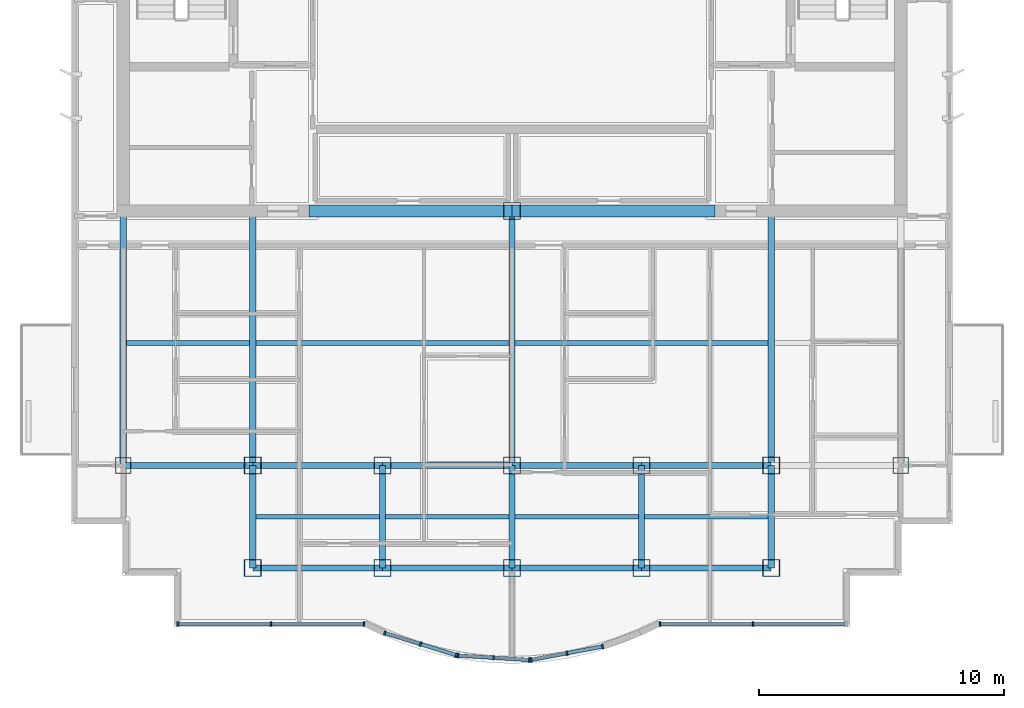
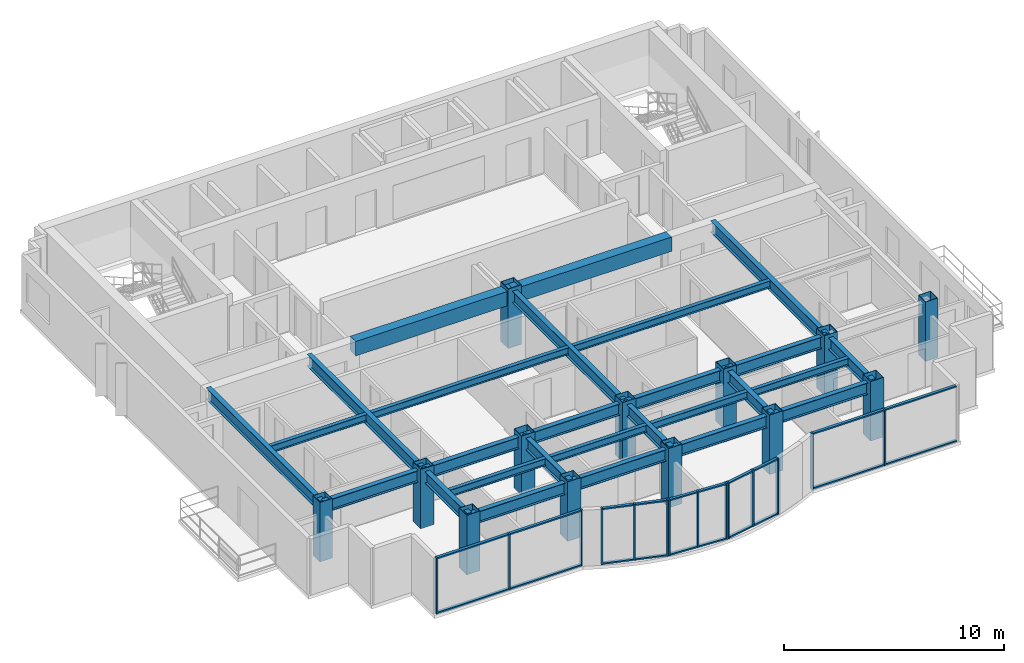
# One storey, part 1 of 9: 34 members, 27 beams, 13 columns, 5 elements without a shape of their own.
"""IFC4 building model written with IfcOpenShell, lengths in metres."""

from ifc_helpers import new_model, si_unit, direction, frame, origin, origin_2d, place, context, subcontext, project, spatial, rectangle, hollow_rectangle, i_section, extrude, source, transform, mapped, material, layer, layer_set, material_profile, profile_set, type_object, element, aggregate, save


model = new_model("IFC4")

# Units and contexts
model_context = context("Model", 3, precision=1e-05, world=origin(), true_north=direction((0.0, 1.0)))
body_context = subcontext(model_context, "Body", "Model", "MODEL_VIEW")
ifc_project = project(units=[si_unit("LENGTHUNIT", "METRE"), si_unit("AREAUNIT", "SQUARE_METRE"), si_unit("VOLUMEUNIT", "CUBIC_METRE"), si_unit("PLANEANGLEUNIT", "RADIAN"), si_unit("MASSUNIT", "GRAM", prefix="KILO")], contexts=[model_context])

# Site, building, storey
site_placement = place(None, origin())
site = spatial("IfcSite", under=ifc_project, at=site_placement, CompositionType="ELEMENT")
building_placement = place(site_placement, origin())
building = spatial("IfcBuilding", under=site, at=building_placement, Name="Qianlan Lanfeng Residences", CompositionType="ELEMENT")
storey_placement = place(building_placement, frame((0.0, 0.0, 249.5)))
storey = spatial("IfcBuildingStorey", under=building, at=storey_placement, Name="L69", CompositionType="ELEMENT", Elevation=249.5)

# Columns
ifc_material_1 = material(Name="Steel SN490B", Category="steel")
ifc_material_profile_1 = material_profile(ifc_material_1, hollow_rectangle(XDim=0.699951171875, YDim=0.699951171875, WallThickness=0.02490234375, at=origin_2d()), Name="BOX 700x700x25")
ifc_profile_set_1 = profile_set([ifc_material_profile_1], Name="Steel SN490B")
column_type_1 = type_object("IfcColumnType", Name="C-B750", PredefinedType="COLUMN", material=ifc_profile_set_1)
for number, where, z_axis, x_axis, name in (
    (1, (26.5, 25.199951171875, 0.0), (0.0, 0.0, 1.0), (1.0, 0.0, 0.0), "L69 Structural Column CP_26.5_25.2"),
    (2, (15.89990234375, 14.800048828125, 0.0), (0.0, 0.0, 1.0), (1.0, 0.0, 0.0), "L69 Structural Column M_15.90_14.80"),
    (3, (15.89990234375, 10.60009765625, 0.0), (0.0, 0.0, 1.0), (1.0, 0.0, 0.0), "L69 Structural Column G_15.90_10.60"),
    (4, (21.199951171875, 14.800048828125, 0.0), (0.0, 0.0, 1.0), (1.0, 0.0, 0.0), "L69 Structural Column M_21.20_14.80"),
    (5, (21.199951171875, 10.60009765625, 0.0), (0.0, 0.0, 1.0), (1.0, 0.0, 0.0), "L69 Structural Column G_21.20_10.60"),
    (6, (26.5, 14.800048828125, 0.0), (0.0, 0.0, 1.0), (1.0, 0.0, 0.0), "L69 Structural Column M_26.50_14.80"),
    (7, (26.5, 10.60009765625, 0.0), (0.0, 0.0, 1.0), (1.0, 0.0, 0.0), "L69 Structural Column G_26.50_10.60"),
    (8, (31.800048828125, 14.800048828125, 0.0), (0.0, 0.0, 1.0), (1.0, 0.0, 0.0), "L69 Structural Column M_31.80_14.80"),
    (9, (31.800048828125, 10.60009765625, 0.0), (0.0, 0.0, 1.0), (1.0, 0.0, 0.0), "L69 Structural Column G_31.80_10.60"),
    (10, (37.10009765625, 14.800048828125, 0.0), (0.0, 0.0, 1.0), (1.0, 0.0, 0.0), "L69 Structural Column M_37.10_14.80"),
    (11, (37.10009765625, 10.60009765625, 0.0), (0.0, 0.0, 1.0), (1.0, 0.0, 0.0), "L69 Structural Column G_37.10_10.60"),
):
    element("IfcColumn", number, at=place(storey_placement, frame(where, z_axis=z_axis, x_axis=x_axis)), inside=storey, type_object=column_type_1, Name=name, PredefinedType="COLUMN", context=body_context, shape_type="SweptSolid", body=[
        extrude(hollow_rectangle(XDim=0.699951171875, YDim=0.699951171875, WallThickness=0.02490234375, at=origin_2d()), origin(), (0.0, 0.0, 1.0), 3.300048828125),
    ])
ifc_material_profile_2 = material_profile(ifc_material_1, hollow_rectangle(XDim=0.64990234375, YDim=0.64990234375, WallThickness=0.02197265625, at=origin_2d()), Name="BOX 650x650x22")
ifc_profile_set_2 = profile_set([ifc_material_profile_2], Name="Steel SN490B")
column_type_2 = type_object("IfcColumnType", Name="CE-B700", PredefinedType="COLUMN", material=ifc_profile_set_2)
for number, where, z_axis, x_axis, name in (
    (12, (10.60009765625, 14.800048828125, 0.0), (0.0, 0.0, 1.0), (1.0, 0.0, 0.0), "L69 Structural Column M_10.60_14.80"),
    (13, (42.39990234375, 14.800048828125, 0.0), (0.0, 0.0, 1.0), (1.0, 0.0, 0.0), "L69 Structural Column M_42.40_14.80"),
):
    element("IfcColumn", number, at=place(storey_placement, frame(where, z_axis=z_axis, x_axis=x_axis)), inside=storey, type_object=column_type_2, Name=name, PredefinedType="COLUMN", context=body_context, shape_type="SweptSolid", body=[
        extrude(hollow_rectangle(XDim=0.64990234375, YDim=0.64990234375, WallThickness=0.02197265625, at=origin_2d()), origin(), (0.0, 0.0, 1.0), 3.300048828125),
    ])

# Beams
ifc_material_profile_3 = material_profile(ifc_material_1, i_section(OverallWidth=0.25, OverallDepth=0.64990234375, WebThickness=0.012939453125, FlangeThickness=0.02197265625, at=origin_2d()), Name="H 650x250x13x22")
ifc_profile_set_3 = profile_set([ifc_material_profile_3], Name="Steel SN490B")
beam_type_1 = type_object("IfcBeamType", Name="G-650", PredefinedType="BEAM", material=ifc_profile_set_3)
for number, where, z_axis, x_axis, name in (
    (14, (15.89990234375, 10.60009765625, 2.784912109375), (1.0, 0.0, 0.0), (0.0, 1.0, 0.0), "Structural beam G-650"),
    (15, (21.199951171875, 10.60009765625, 2.784912109375), (1.0, 0.0, 0.0), (0.0, 1.0, 0.0), "Structural beam G-650"),
    (16, (26.5, 10.60009765625, 2.784912109375), (1.0, 0.0, 0.0), (0.0, 1.0, 0.0), "Structural beam G-650"),
    (17, (31.800048828125, 10.60009765625, 2.784912109375), (1.0, 0.0, 0.0), (0.0, 1.0, 0.0), "Structural beam G-650"),
):
    element("IfcBeam", number, at=place(storey_placement, frame(where, z_axis=z_axis, x_axis=x_axis)), inside=storey, type_object=beam_type_1, Name=name, PredefinedType="BEAM", context=body_context, shape_type="SweptSolid", body=[
        extrude(i_section(OverallWidth=0.25, OverallDepth=0.64990234375, WebThickness=0.012939453125, FlangeThickness=0.02197265625, at=origin_2d()), origin(), (0.0, 0.0, 1.0), 5.300048828125),
    ])
beam_1_placement = place(storey_placement, frame((10.60009765625, 14.800048828125, 2.784912109375), z_axis=(1.0, 0.0, 0.0), x_axis=(0.0, 1.0, 0.0)))
element("IfcBeam", 18, at=beam_1_placement, inside=storey, type_object=beam_type_1, Name="Structural beam G-650", PredefinedType="BEAM", context=body_context, shape_type="SweptSolid", body=[
    extrude(i_section(OverallWidth=0.25, OverallDepth=0.64990234375, WebThickness=0.012939453125, FlangeThickness=0.02197265625, at=origin_2d()), origin(), (0.0, 0.0, 1.0), 5.2998046875),
])
for number, where, z_axis, x_axis, name in (
    (19, (15.89990234375, 14.800048828125, 2.784912109375), (1.0, 0.0, 0.0), (0.0, 1.0, 0.0), "Structural beam G-650"),
    (20, (21.199951171875, 14.800048828125, 2.784912109375), (1.0, 0.0, 0.0), (0.0, 1.0, 0.0), "Structural beam G-650"),
    (21, (26.5, 14.800048828125, 2.784912109375), (1.0, 0.0, 0.0), (0.0, 1.0, 0.0), "Structural beam G-650"),
    (22, (31.800048828125, 14.800048828125, 2.784912109375), (1.0, 0.0, 0.0), (0.0, 1.0, 0.0), "Structural beam G-650"),
):
    element("IfcBeam", number, at=place(storey_placement, frame(where, z_axis=z_axis, x_axis=x_axis)), inside=storey, type_object=beam_type_1, Name=name, PredefinedType="BEAM", context=body_context, shape_type="SweptSolid", body=[
        extrude(i_section(OverallWidth=0.25, OverallDepth=0.64990234375, WebThickness=0.012939453125, FlangeThickness=0.02197265625, at=origin_2d()), origin(), (0.0, 0.0, 1.0), 5.300048828125),
    ])
beam_2_placement = place(storey_placement, frame((10.60009765625, 14.800048828125, 2.784912109375), z_axis=(0.0, 1.0, 0.0), x_axis=(-1.0, 0.0, 0.0)))
element("IfcBeam", 23, at=beam_2_placement, inside=storey, type_object=beam_type_1, Name="Structural beam G-650", PredefinedType="BEAM", context=body_context, shape_type="SweptSolid", body=[
    extrude(i_section(OverallWidth=0.25, OverallDepth=0.64990234375, WebThickness=0.012939453125, FlangeThickness=0.02197265625, at=origin_2d()), origin(), (0.0, 0.0, 1.0), 10.39990234375),
])
beam_3_placement = place(storey_placement, frame((15.89990234375, 10.60009765625, 2.784912109375), z_axis=(0.0, 1.0, 0.0), x_axis=(-1.0, 0.0, 0.0)))
element("IfcBeam", 24, at=beam_3_placement, inside=storey, type_object=beam_type_1, Name="Structural beam G-650", PredefinedType="BEAM", context=body_context, shape_type="SweptSolid", body=[
    extrude(i_section(OverallWidth=0.25, OverallDepth=0.64990234375, WebThickness=0.012939453125, FlangeThickness=0.02197265625, at=origin_2d()), origin(), (0.0, 0.0, 1.0), 4.199951171875),
])
beam_4_placement = place(storey_placement, frame((15.89990234375, 14.800048828125, 2.784912109375), z_axis=(0.0, 1.0, 0.0), x_axis=(-1.0, 0.0, 0.0)))
element("IfcBeam", 25, at=beam_4_placement, inside=storey, type_object=beam_type_1, Name="Structural beam G-650", PredefinedType="BEAM", context=body_context, shape_type="SweptSolid", body=[
    extrude(i_section(OverallWidth=0.25, OverallDepth=0.64990234375, WebThickness=0.012939453125, FlangeThickness=0.02197265625, at=origin_2d()), origin(), (0.0, 0.0, 1.0), 10.39990234375),
])
for number, where, z_axis, x_axis, name in (
    (26, (21.199951171875, 10.60009765625, 2.784912109375), (0.0, 1.0, 0.0), (-1.0, 0.0, 0.0), "Structural beam G-650"),
    (27, (26.5, 10.60009765625, 2.784912109375), (0.0, 1.0, 0.0), (-1.0, 0.0, 0.0), "Structural beam G-650"),
):
    element("IfcBeam", number, at=place(storey_placement, frame(where, z_axis=z_axis, x_axis=x_axis)), inside=storey, type_object=beam_type_1, Name=name, PredefinedType="BEAM", context=body_context, shape_type="SweptSolid", body=[
        extrude(i_section(OverallWidth=0.25, OverallDepth=0.64990234375, WebThickness=0.012939453125, FlangeThickness=0.02197265625, at=origin_2d()), origin(), (0.0, 0.0, 1.0), 4.199951171875),
    ])
beam_5_placement = place(storey_placement, frame((26.5, 14.800048828125, 2.784912109375), z_axis=(0.0, 1.0, 0.0), x_axis=(-1.0, 0.0, 0.0)))
element("IfcBeam", 28, at=beam_5_placement, inside=storey, type_object=beam_type_1, Name="Structural beam G-650", PredefinedType="BEAM", context=body_context, shape_type="SweptSolid", body=[
    extrude(i_section(OverallWidth=0.25, OverallDepth=0.64990234375, WebThickness=0.012939453125, FlangeThickness=0.02197265625, at=origin_2d()), origin(), (0.0, 0.0, 1.0), 10.39990234375),
])
for number, where, z_axis, x_axis, name in (
    (29, (31.800048828125, 10.60009765625, 2.784912109375), (0.0, 1.0, 0.0), (-1.0, 0.0, 0.0), "Structural beam G-650"),
    (30, (37.10009765625, 10.60009765625, 2.784912109375), (0.0, 1.0, 0.0), (-1.0, 0.0, 0.0), "Structural beam G-650"),
):
    element("IfcBeam", number, at=place(storey_placement, frame(where, z_axis=z_axis, x_axis=x_axis)), inside=storey, type_object=beam_type_1, Name=name, PredefinedType="BEAM", context=body_context, shape_type="SweptSolid", body=[
        extrude(i_section(OverallWidth=0.25, OverallDepth=0.64990234375, WebThickness=0.012939453125, FlangeThickness=0.02197265625, at=origin_2d()), origin(), (0.0, 0.0, 1.0), 4.199951171875),
    ])
beam_6_placement = place(storey_placement, frame((37.10009765625, 14.800048828125, 2.784912109375), z_axis=(0.0, 1.0, 0.0), x_axis=(-1.0, 0.0, 0.0)))
element("IfcBeam", 31, at=beam_6_placement, inside=storey, type_object=beam_type_1, Name="Structural beam G-650", PredefinedType="BEAM", context=body_context, shape_type="SweptSolid", body=[
    extrude(i_section(OverallWidth=0.25, OverallDepth=0.64990234375, WebThickness=0.012939453125, FlangeThickness=0.02197265625, at=origin_2d()), origin(), (0.0, 0.0, 1.0), 10.39990234375),
])
ifc_material_profile_4 = material_profile(ifc_material_1, i_section(OverallWidth=0.199951171875, OverallDepth=0.39990234375, WebThickness=0.008056640625, FlangeThickness=0.012939453125, at=origin_2d()), Name="H 400x200x8x13")
ifc_profile_set_4 = profile_set([ifc_material_profile_4], Name="Steel SN490B")
beam_type_2 = type_object("IfcBeamType", Name="J-400", PredefinedType="JOIST", material=ifc_profile_set_4)
for number, where, z_axis, x_axis, name in (
    (32, (16.02490234375, 12.699951171875, 2.909912109375), (1.0, 0.0, 0.0), (0.0, 1.0, 0.0), "Structural beam J-400"),
    (33, (21.324951171875, 12.699951171875, 2.909912109375), (1.0, 0.0, 0.0), (0.0, 1.0, 0.0), "Structural beam J-400"),
    (34, (26.625, 12.699951171875, 2.909912109375), (1.0, 0.0, 0.0), (0.0, 1.0, 0.0), "Structural beam J-400"),
    (35, (31.925048828125, 12.699951171875, 2.909912109375), (1.0, 0.0, 0.0), (0.0, 1.0, 0.0), "Structural beam J-400"),
):
    element("IfcBeam", number, at=place(storey_placement, frame(where, z_axis=z_axis, x_axis=x_axis)), inside=storey, type_object=beam_type_2, Name=name, PredefinedType="JOIST", context=body_context, shape_type="SweptSolid", body=[
        extrude(i_section(OverallWidth=0.199951171875, OverallDepth=0.39990234375, WebThickness=0.008056640625, FlangeThickness=0.012939453125, at=origin_2d()), origin(), (0.0, 0.0, 1.0), 5.050048828125),
    ])
beam_7_placement = place(storey_placement, frame((10.72509765625, 19.800048828125, 2.909912109375), z_axis=(1.0, 0.0, 0.0), x_axis=(0.0, 1.0, 0.0)))
element("IfcBeam", 36, at=beam_7_placement, inside=storey, type_object=beam_type_2, Name="Structural beam J-400", PredefinedType="JOIST", context=body_context, shape_type="SweptSolid", body=[
    extrude(i_section(OverallWidth=0.199951171875, OverallDepth=0.39990234375, WebThickness=0.008056640625, FlangeThickness=0.012939453125, at=origin_2d()), origin(), (0.0, 0.0, 1.0), 5.0498046875),
])
for number, where, z_axis, x_axis, name in (
    (37, (16.02490234375, 19.800048828125, 2.909912109375), (1.0, 0.0, 0.0), (0.0, 1.0, 0.0), "Structural beam J-400"),
    (38, (26.625, 19.800048828125, 2.909912109375), (1.0, 0.0, 0.0), (0.0, 1.0, 0.0), "Structural beam J-400"),
):
    element("IfcBeam", number, at=place(storey_placement, frame(where, z_axis=z_axis, x_axis=x_axis)), inside=storey, type_object=beam_type_2, Name=name, PredefinedType="JOIST", context=body_context, shape_type="SweptSolid", body=[
        extrude(i_section(OverallWidth=0.199951171875, OverallDepth=0.39990234375, WebThickness=0.008056640625, FlangeThickness=0.012939453125, at=origin_2d()), origin(), (0.0, 0.0, 1.0), 10.35009765625),
    ])
ifc_material_2 = material(Name="Concrete C49", Category="concrete")
ifc_material_profile_5 = material_profile(ifc_material_2, rectangle(XDim=0.5, YDim=0.800048828125, at=origin_2d()), Name="RC 500x800")
ifc_profile_set_5 = profile_set([ifc_material_profile_5], Name="Concrete C49")
beam_type_3 = type_object("IfcBeamType", Name="LB-RC750", PredefinedType="BEAM", material=ifc_profile_set_5)
for number, where, z_axis, x_axis, name in (
    (39, (18.199951171875, 25.199951171875, 2.7099609375), (1.0, 0.0, 0.0), (0.0, 1.0, 0.0), "L69 Core Coupling Beam W"),
    (40, (26.5, 25.199951171875, 2.7099609375), (1.0, 0.0, 0.0), (0.0, 1.0, 0.0), "L69 Core Coupling Beam E"),
):
    element("IfcBeam", number, at=place(storey_placement, frame(where, z_axis=z_axis, x_axis=x_axis)), inside=storey, type_object=beam_type_3, Name=name, PredefinedType="BEAM", context=body_context, shape_type="SweptSolid", body=[
        extrude(rectangle(XDim=0.5, YDim=0.800048828125, at=origin_2d()), origin(), (0.0, 0.0, 1.0), 8.300048828125),
    ])

# Curtain wall, members
ifc_material_3 = material(Name="Anodised Bronze Aluminium 6063-T6", Category="aluminium")
ifc_layer = layer(ifc_material_3, 0.219970703125)
ifc_layer_set = layer_set([ifc_layer], Name="Anodised Bronze Aluminium 6063-T6")
curtain_wall_type = type_object("IfcCurtainWallType", Name="CW-06", PredefinedType="NOTDEFINED", material=ifc_layer_set)
curtain_wall_1_placement = place(storey_placement, origin())
curtain_wall_1 = element("IfcCurtainWall", 41, at=curtain_wall_1_placement, inside=storey, type_object=curtain_wall_type, Name="L69 Unitised Curtain Wall CWR-L69-01 (CW-06)", PredefinedType="NOTDEFINED")
ifc_material_profile_6 = material_profile(ifc_material_3, rectangle(XDim=0.074951171875, YDim=0.179931640625, at=origin_2d()), Name="ALU MULLION 75x180")
ifc_profile_set_6 = profile_set([ifc_material_profile_6], Name="Anodised Bronze Aluminium 6063-T6")
member_type_1 = type_object("IfcMemberType", Name="CWM-180", PredefinedType="MULLION", material=ifc_profile_set_6)
shared_shape_1 = source(origin(), body_context, "Body", "SweptSolid", [
    extrude(rectangle(XDim=0.074951171875, YDim=0.179931640625, at=origin_2d()), origin(), (0.0, 0.0, 1.0), 3.110107421875),
])
member_1_placement = place(storey_placement, frame((12.83740234375, 8.320068359375, 0.0), z_axis=(0.0, 0.0, 1.0), x_axis=(1.0, 0.0, 0.0)))
member_1 = element("IfcMember", 42, at=member_1_placement, type_object=member_type_1, Name="CWR-L69-01 Mullion 1", PredefinedType="MULLION", context=body_context, shape_type="MappedRepresentation", body=[
    mapped(shared_shape_1, transform((0.0, 0.0, 0.0), scale=1.0)),
])
member_2_placement = place(storey_placement, frame((16.6435546875, 8.320068359375, 0.0), z_axis=(0.0, 0.0, 1.0), x_axis=(1.0, 0.0, 0.0)))
member_2 = element("IfcMember", 43, at=member_2_placement, type_object=member_type_1, Name="CWR-L69-01 Mullion 2", PredefinedType="MULLION", context=body_context, shape_type="MappedRepresentation", body=[
    mapped(shared_shape_1, transform((0.0, 0.0, 0.0), scale=1.0)),
])
member_3_placement = place(storey_placement, frame((20.449462890625, 8.320068359375, 0.0), z_axis=(0.0, 0.0, 1.0), x_axis=(1.0, 0.0, 0.0)))
member_3 = element("IfcMember", 44, at=member_3_placement, type_object=member_type_1, Name="CWR-L69-01 Mullion 3", PredefinedType="MULLION", context=body_context, shape_type="MappedRepresentation", body=[
    mapped(shared_shape_1, transform((0.0, 0.0, 0.0), scale=1.0)),
])

curtain_wall_2_placement = place(storey_placement, origin())
curtain_wall_2 = element("IfcCurtainWall", 45, at=curtain_wall_2_placement, inside=storey, type_object=curtain_wall_type, Name="L69 Unitised Curtain Wall CWR-L69-02 (CW-06)", PredefinedType="NOTDEFINED")
member_4_placement = place(storey_placement, frame((21.298828125, 7.947021484375, 0.0), z_axis=(0.0, 0.0, 1.0), x_axis=(0.955079962155, -0.296348217287, 0.0)))
member_4 = element("IfcMember", 46, at=member_4_placement, type_object=member_type_1, Name="CWR-L69-02 Mullion 1", PredefinedType="MULLION", context=body_context, shape_type="MappedRepresentation", body=[
    mapped(shared_shape_1, transform((0.0, 0.0, 0.0), scale=1.0)),
])
member_5_placement = place(storey_placement, frame((22.760009765625, 7.493408203125, 0.0), z_axis=(0.0, 0.0, 1.0), x_axis=(0.955079962155, -0.296348217287, 0.0)))
member_5 = element("IfcMember", 47, at=member_5_placement, type_object=member_type_1, Name="CWR-L69-02 Mullion 2", PredefinedType="MULLION", context=body_context, shape_type="MappedRepresentation", body=[
    mapped(shared_shape_1, transform((0.0, 0.0, 0.0), scale=1.0)),
])
member_6_placement = place(storey_placement, frame((24.22119140625, 7.0400390625, 0.0), z_axis=(0.0, 0.0, 1.0), x_axis=(0.955079962155, -0.296348217287, 0.0)))
member_6 = element("IfcMember", 48, at=member_6_placement, type_object=member_type_1, Name="CWR-L69-02 Mullion 3", PredefinedType="MULLION", context=body_context, shape_type="MappedRepresentation", body=[
    mapped(shared_shape_1, transform((0.0, 0.0, 0.0), scale=1.0)),
])

curtain_wall_3_placement = place(storey_placement, origin())
curtain_wall_3 = element("IfcCurtainWall", 49, at=curtain_wall_3_placement, inside=storey, type_object=curtain_wall_type, Name="L69 Unitised Curtain Wall CWR-L69-03 (CW-06)", PredefinedType="NOTDEFINED")
member_7_placement = place(storey_placement, frame((24.29443359375, 7.026611328125, 0.0), z_axis=(0.0, 0.0, 1.0), x_axis=(0.998072054859, -0.062065878781, 0.0)))
member_7 = element("IfcMember", 50, at=member_7_placement, type_object=member_type_1, Name="CWR-L69-03 Mullion 1", PredefinedType="MULLION", context=body_context, shape_type="MappedRepresentation", body=[
    mapped(shared_shape_1, transform((0.0, 0.0, 0.0), scale=1.0)),
])
member_8_placement = place(storey_placement, frame((25.75244140625, 6.93603515625, 0.0), z_axis=(0.0, 0.0, 1.0), x_axis=(0.998072054859, -0.062065878781, 0.0)))
member_8 = element("IfcMember", 51, at=member_8_placement, type_object=member_type_1, Name="CWR-L69-03 Mullion 2", PredefinedType="MULLION", context=body_context, shape_type="MappedRepresentation", body=[
    mapped(shared_shape_1, transform((0.0, 0.0, 0.0), scale=1.0)),
])
member_9_placement = place(storey_placement, frame((27.210693359375, 6.84521484375, 0.0), z_axis=(0.0, 0.0, 1.0), x_axis=(0.998072054859, -0.062065878781, 0.0)))
member_9 = element("IfcMember", 52, at=member_9_placement, type_object=member_type_1, Name="CWR-L69-03 Mullion 3", PredefinedType="MULLION", context=body_context, shape_type="MappedRepresentation", body=[
    mapped(shared_shape_1, transform((0.0, 0.0, 0.0), scale=1.0)),
])

curtain_wall_4_placement = place(storey_placement, origin())
curtain_wall_4 = element("IfcCurtainWall", 53, at=curtain_wall_4_placement, inside=storey, type_object=curtain_wall_type, Name="L69 Unitised Curtain Wall CWR-L69-04 (CW-06)", PredefinedType="NOTDEFINED")
member_10_placement = place(storey_placement, frame((27.284912109375, 6.849853515625, 0.0), z_axis=(0.0, 0.0, 1.0), x_axis=(0.983039214023, 0.183395484386, 0.0)))
member_10 = element("IfcMember", 54, at=member_10_placement, type_object=member_type_1, Name="CWR-L69-04 Mullion 1", PredefinedType="MULLION", context=body_context, shape_type="MappedRepresentation", body=[
    mapped(shared_shape_1, transform((0.0, 0.0, 0.0), scale=1.0)),
])
member_11_placement = place(storey_placement, frame((28.743408203125, 7.1220703125, 0.0), z_axis=(0.0, 0.0, 1.0), x_axis=(0.983039214023, 0.183395484386, 0.0)))
member_11 = element("IfcMember", 55, at=member_11_placement, type_object=member_type_1, Name="CWR-L69-04 Mullion 2", PredefinedType="MULLION", context=body_context, shape_type="MappedRepresentation", body=[
    mapped(shared_shape_1, transform((0.0, 0.0, 0.0), scale=1.0)),
])
member_12_placement = place(storey_placement, frame((30.2021484375, 7.39404296875, 0.0), z_axis=(0.0, 0.0, 1.0), x_axis=(0.983039214023, 0.183395484386, 0.0)))
member_12 = element("IfcMember", 56, at=member_12_placement, type_object=member_type_1, Name="CWR-L69-04 Mullion 3", PredefinedType="MULLION", context=body_context, shape_type="MappedRepresentation", body=[
    mapped(shared_shape_1, transform((0.0, 0.0, 0.0), scale=1.0)),
])

curtain_wall_5_placement = place(storey_placement, origin())
curtain_wall_5 = element("IfcCurtainWall", 57, at=curtain_wall_5_placement, inside=storey, type_object=curtain_wall_type, Name="L69 Unitised Curtain Wall CWR-L69-05 (CW-06)", PredefinedType="NOTDEFINED")
member_13_placement = place(storey_placement, frame((32.550537109375, 8.320068359375, 0.0), z_axis=(0.0, 0.0, 1.0), x_axis=(1.0, 0.0, 0.0)))
member_13 = element("IfcMember", 58, at=member_13_placement, type_object=member_type_1, Name="CWR-L69-05 Mullion 1", PredefinedType="MULLION", context=body_context, shape_type="MappedRepresentation", body=[
    mapped(shared_shape_1, transform((0.0, 0.0, 0.0), scale=1.0)),
])
member_14_placement = place(storey_placement, frame((36.3564453125, 8.320068359375, 0.0), z_axis=(0.0, 0.0, 1.0), x_axis=(1.0, 0.0, 0.0)))
member_14 = element("IfcMember", 59, at=member_14_placement, type_object=member_type_1, Name="CWR-L69-05 Mullion 2", PredefinedType="MULLION", context=body_context, shape_type="MappedRepresentation", body=[
    mapped(shared_shape_1, transform((0.0, 0.0, 0.0), scale=1.0)),
])

# Member
ifc_material_profile_7 = material_profile(ifc_material_3, rectangle(XDim=0.074951171875, YDim=0.14990234375, at=origin_2d()), Name="ALU TRANSOM 75x150")
ifc_profile_set_7 = profile_set([ifc_material_profile_7], Name="Anodised Bronze Aluminium 6063-T6")
member_type_2 = type_object("IfcMemberType", Name="CWT-150", PredefinedType="USERDEFINED", material=ifc_profile_set_7)
shared_shape_2 = source(origin(), body_context, "Body", "SweptSolid", [
    extrude(rectangle(XDim=0.074951171875, YDim=0.14990234375, at=origin_2d()), origin(), (0.0, 0.0, 1.0), 3.73095703125),
])
member_15_placement = place(storey_placement, frame((12.875, 8.320068359375, 0.03759765625), z_axis=(1.0, 0.0, 0.0), x_axis=(0.0, 0.0, 1.0)))
member_15 = element("IfcMember", 60, at=member_15_placement, type_object=member_type_2, Name="CWR-L69-01 Transom 1-BOT", ObjectType="TRANSOM", PredefinedType="USERDEFINED", context=body_context, shape_type="MappedRepresentation", body=[
    mapped(shared_shape_2, transform((0.0, 0.0, 0.0), scale=1.0)),
])

member_16_placement = place(storey_placement, frame((12.875, 8.320068359375, 3.072509765625), z_axis=(1.0, 0.0, 0.0), x_axis=(0.0, 0.0, 1.0)))
member_16 = element("IfcMember", 61, at=member_16_placement, type_object=member_type_2, Name="CWR-L69-01 Transom 1-TOP", ObjectType="TRANSOM", PredefinedType="USERDEFINED", context=body_context, shape_type="MappedRepresentation", body=[
    mapped(shared_shape_2, transform((0.0, 0.0, 0.0), scale=1.0)),
])

member_17_placement = place(storey_placement, frame((36.39404296875, 8.320068359375, 0.03759765625), z_axis=(1.0, 0.0, 0.0), x_axis=(0.0, 0.0, 1.0)))
member_17 = element("IfcMember", 62, at=member_17_placement, type_object=member_type_2, Name="CWR-L69-05 Transom 2-BOT", ObjectType="TRANSOM", PredefinedType="USERDEFINED", context=body_context, shape_type="MappedRepresentation", body=[
    mapped(shared_shape_2, transform((0.0, 0.0, 0.0), scale=1.0)),
])

member_18_placement = place(storey_placement, frame((36.39404296875, 8.320068359375, 3.072509765625), z_axis=(1.0, 0.0, 0.0), x_axis=(0.0, 0.0, 1.0)))
member_18 = element("IfcMember", 63, at=member_18_placement, type_object=member_type_2, Name="CWR-L69-05 Transom 2-TOP", ObjectType="TRANSOM", PredefinedType="USERDEFINED", context=body_context, shape_type="MappedRepresentation", body=[
    mapped(shared_shape_2, transform((0.0, 0.0, 0.0), scale=1.0)),
])

shared_shape_3 = source(origin(), body_context, "Body", "SweptSolid", [
    extrude(rectangle(XDim=0.074951171875, YDim=0.14990234375, at=origin_2d()), origin(), (0.0, 0.0, 1.0), 3.731201171875),
])
member_19_placement = place(storey_placement, frame((16.680908203125, 8.320068359375, 0.03759765625), z_axis=(1.0, 0.0, 0.0), x_axis=(0.0, 0.0, 1.0)))
member_19 = element("IfcMember", 64, at=member_19_placement, type_object=member_type_2, Name="CWR-L69-01 Transom 2-BOT", ObjectType="TRANSOM", PredefinedType="USERDEFINED", context=body_context, shape_type="MappedRepresentation", body=[
    mapped(shared_shape_3, transform((0.0, 0.0, 0.0), scale=1.0)),
])

member_20_placement = place(storey_placement, frame((16.680908203125, 8.320068359375, 3.072509765625), z_axis=(1.0, 0.0, 0.0), x_axis=(0.0, 0.0, 1.0)))
member_20 = element("IfcMember", 65, at=member_20_placement, type_object=member_type_2, Name="CWR-L69-01 Transom 2-TOP", ObjectType="TRANSOM", PredefinedType="USERDEFINED", context=body_context, shape_type="MappedRepresentation", body=[
    mapped(shared_shape_3, transform((0.0, 0.0, 0.0), scale=1.0)),
])

aggregate(curtain_wall_1, [member_1, member_2, member_3, member_15, member_16, member_19, member_20])

member_21_placement = place(storey_placement, frame((32.587890625, 8.320068359375, 0.03759765625), z_axis=(1.0, 0.0, 0.0), x_axis=(0.0, 0.0, 1.0)))
member_21 = element("IfcMember", 66, at=member_21_placement, type_object=member_type_2, Name="CWR-L69-05 Transom 1-BOT", ObjectType="TRANSOM", PredefinedType="USERDEFINED", context=body_context, shape_type="MappedRepresentation", body=[
    mapped(shared_shape_3, transform((0.0, 0.0, 0.0), scale=1.0)),
])

member_22_placement = place(storey_placement, frame((32.587890625, 8.320068359375, 3.072509765625), z_axis=(1.0, 0.0, 0.0), x_axis=(0.0, 0.0, 1.0)))
member_22 = element("IfcMember", 67, at=member_22_placement, type_object=member_type_2, Name="CWR-L69-05 Transom 1-TOP", ObjectType="TRANSOM", PredefinedType="USERDEFINED", context=body_context, shape_type="MappedRepresentation", body=[
    mapped(shared_shape_3, transform((0.0, 0.0, 0.0), scale=1.0)),
])

aggregate(curtain_wall_5, [member_13, member_14, member_21, member_22, member_17, member_18])

shared_shape_4 = source(origin(), body_context, "Body", "SweptSolid", [
    extrude(rectangle(XDim=0.074951171875, YDim=0.14990234375, at=origin_2d()), origin(), (0.0, 0.0, 1.0), 1.454833984375),
])
member_23_placement = place(storey_placement, frame((21.334716796875, 7.935791015625, 0.03759765625), z_axis=(0.955072327302, -0.296372822002, 0.0), x_axis=(0.0, 0.0, 1.0)))
member_23 = element("IfcMember", 68, at=member_23_placement, type_object=member_type_2, Name="CWR-L69-02 Transom 1-BOT", ObjectType="TRANSOM", PredefinedType="USERDEFINED", context=body_context, shape_type="MappedRepresentation", body=[
    mapped(shared_shape_4, transform((0.0, 0.0, 0.0), scale=1.0)),
])

member_24_placement = place(storey_placement, frame((21.334716796875, 7.935791015625, 3.072509765625), z_axis=(0.955072327302, -0.296372822002, 0.0), x_axis=(0.0, 0.0, 1.0)))
member_24 = element("IfcMember", 69, at=member_24_placement, type_object=member_type_2, Name="CWR-L69-02 Transom 1-TOP", ObjectType="TRANSOM", PredefinedType="USERDEFINED", context=body_context, shape_type="MappedRepresentation", body=[
    mapped(shared_shape_4, transform((0.0, 0.0, 0.0), scale=1.0)),
])

member_25_placement = place(storey_placement, frame((22.7958984375, 7.482421875, 0.03759765625), z_axis=(0.955072327302, -0.296372822002, 0.0), x_axis=(0.0, 0.0, 1.0)))
member_25 = element("IfcMember", 70, at=member_25_placement, type_object=member_type_2, Name="CWR-L69-02 Transom 2-BOT", ObjectType="TRANSOM", PredefinedType="USERDEFINED", context=body_context, shape_type="MappedRepresentation", body=[
    mapped(shared_shape_4, transform((0.0, 0.0, 0.0), scale=1.0)),
])

member_26_placement = place(storey_placement, frame((22.7958984375, 7.482421875, 3.072509765625), z_axis=(0.955072327302, -0.296372822002, 0.0), x_axis=(0.0, 0.0, 1.0)))
member_26 = element("IfcMember", 71, at=member_26_placement, type_object=member_type_2, Name="CWR-L69-02 Transom 2-TOP", ObjectType="TRANSOM", PredefinedType="USERDEFINED", context=body_context, shape_type="MappedRepresentation", body=[
    mapped(shared_shape_4, transform((0.0, 0.0, 0.0), scale=1.0)),
])

aggregate(curtain_wall_2, [member_4, member_5, member_6, member_23, member_24, member_25, member_26])

shared_shape_5 = source(origin(), body_context, "Body", "SweptSolid", [
    extrude(rectangle(XDim=0.074951171875, YDim=0.14990234375, at=origin_2d()), origin(), (0.0, 0.0, 1.0), 1.385986328125),
])
member_27_placement = place(storey_placement, frame((24.331787109375, 7.0244140625, 0.03759765625), z_axis=(0.998064896304, -0.062180887468, 0.0), x_axis=(0.0, 0.0, 1.0)))
member_27 = element("IfcMember", 72, at=member_27_placement, type_object=member_type_2, Name="CWR-L69-03 Transom 1-BOT", ObjectType="TRANSOM", PredefinedType="USERDEFINED", context=body_context, shape_type="MappedRepresentation", body=[
    mapped(shared_shape_5, transform((0.0, 0.0, 0.0), scale=1.0)),
])

member_28_placement = place(storey_placement, frame((24.331787109375, 7.0244140625, 3.072509765625), z_axis=(0.998064896304, -0.062180887468, 0.0), x_axis=(0.0, 0.0, 1.0)))
member_28 = element("IfcMember", 73, at=member_28_placement, type_object=member_type_2, Name="CWR-L69-03 Transom 1-TOP", ObjectType="TRANSOM", PredefinedType="USERDEFINED", context=body_context, shape_type="MappedRepresentation", body=[
    mapped(shared_shape_5, transform((0.0, 0.0, 0.0), scale=1.0)),
])

member_29_placement = place(storey_placement, frame((25.789794921875, 6.93359375, 0.03759765625), z_axis=(0.998075812955, -0.062005415842, 0.0), x_axis=(0.0, 0.0, 1.0)))
member_29 = element("IfcMember", 74, at=member_29_placement, type_object=member_type_2, Name="CWR-L69-03 Transom 2-BOT", ObjectType="TRANSOM", PredefinedType="USERDEFINED", context=body_context, shape_type="MappedRepresentation", body=[
    mapped(shared_shape_5, transform((0.0, 0.0, 0.0), scale=1.0)),
])

member_30_placement = place(storey_placement, frame((25.789794921875, 6.93359375, 3.072509765625), z_axis=(0.998075812955, -0.062005415842, 0.0), x_axis=(0.0, 0.0, 1.0)))
member_30 = element("IfcMember", 75, at=member_30_placement, type_object=member_type_2, Name="CWR-L69-03 Transom 2-TOP", ObjectType="TRANSOM", PredefinedType="USERDEFINED", context=body_context, shape_type="MappedRepresentation", body=[
    mapped(shared_shape_5, transform((0.0, 0.0, 0.0), scale=1.0)),
])

aggregate(curtain_wall_3, [member_7, member_8, member_9, member_27, member_28, member_29, member_30])

shared_shape_6 = source(origin(), body_context, "Body", "SweptSolid", [
    extrude(rectangle(XDim=0.074951171875, YDim=0.14990234375, at=origin_2d()), origin(), (0.0, 0.0, 1.0), 1.40869140625),
])
member_31_placement = place(storey_placement, frame((27.32177734375, 6.856689453125, 0.03759765625), z_axis=(0.98304441684, 0.183367593973, 0.0), x_axis=(0.0, 0.0, 1.0)))
member_31 = element("IfcMember", 76, at=member_31_placement, type_object=member_type_2, Name="CWR-L69-04 Transom 1-BOT", ObjectType="TRANSOM", PredefinedType="USERDEFINED", context=body_context, shape_type="MappedRepresentation", body=[
    mapped(shared_shape_6, transform((0.0, 0.0, 0.0), scale=1.0)),
])

member_32_placement = place(storey_placement, frame((27.32177734375, 6.856689453125, 3.072509765625), z_axis=(0.98304441684, 0.183367593973, 0.0), x_axis=(0.0, 0.0, 1.0)))
member_32 = element("IfcMember", 77, at=member_32_placement, type_object=member_type_2, Name="CWR-L69-04 Transom 1-TOP", ObjectType="TRANSOM", PredefinedType="USERDEFINED", context=body_context, shape_type="MappedRepresentation", body=[
    mapped(shared_shape_6, transform((0.0, 0.0, 0.0), scale=1.0)),
])

member_33_placement = place(storey_placement, frame((28.780517578125, 7.12890625, 0.03759765625), z_axis=(0.98304441684, 0.183367593973, 0.0), x_axis=(0.0, 0.0, 1.0)))
member_33 = element("IfcMember", 78, at=member_33_placement, type_object=member_type_2, Name="CWR-L69-04 Transom 2-BOT", ObjectType="TRANSOM", PredefinedType="USERDEFINED", context=body_context, shape_type="MappedRepresentation", body=[
    mapped(shared_shape_6, transform((0.0, 0.0, 0.0), scale=1.0)),
])

member_34_placement = place(storey_placement, frame((28.780517578125, 7.12890625, 3.072509765625), z_axis=(0.98304441684, 0.183367593973, 0.0), x_axis=(0.0, 0.0, 1.0)))
member_34 = element("IfcMember", 79, at=member_34_placement, type_object=member_type_2, Name="CWR-L69-04 Transom 2-TOP", ObjectType="TRANSOM", PredefinedType="USERDEFINED", context=body_context, shape_type="MappedRepresentation", body=[
    mapped(shared_shape_6, transform((0.0, 0.0, 0.0), scale=1.0)),
])

aggregate(curtain_wall_4, [member_10, member_11, member_12, member_31, member_32, member_33, member_34])

save(model, "model.ifc")
